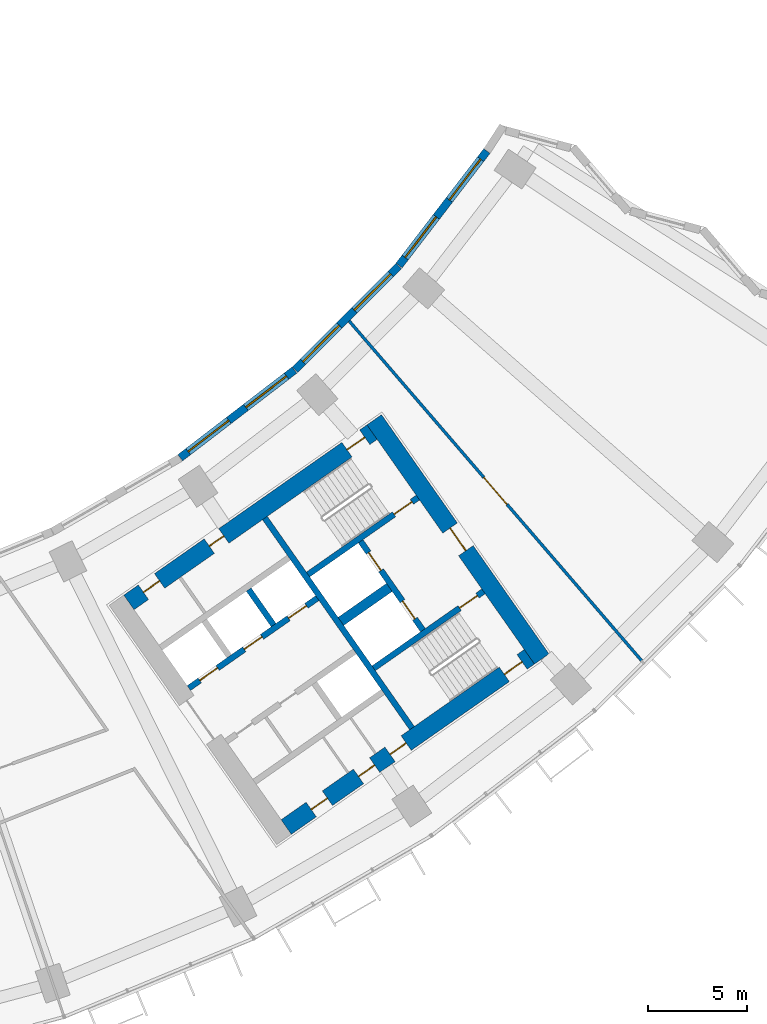
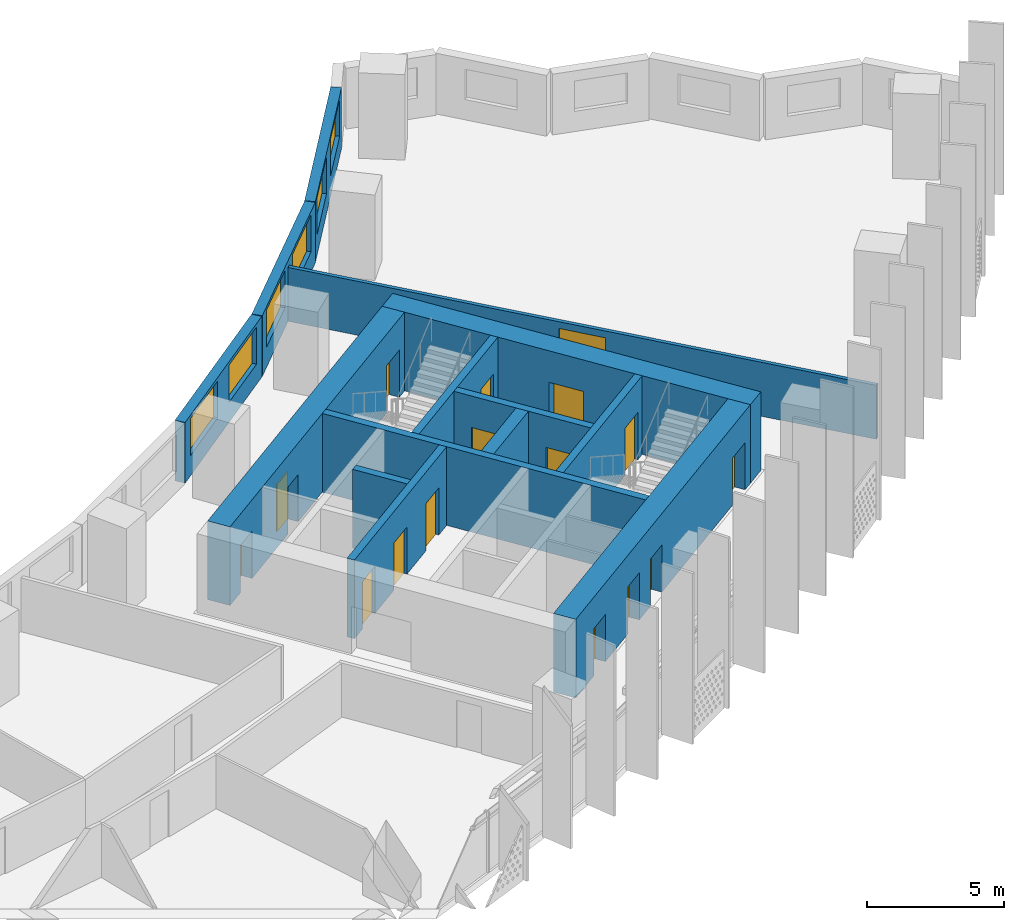
# One storey, part 7 of 31: 16 doors, 14 walls, 6 windows, 22 openings.
"""IFC4 building model written with IfcOpenShell, lengths in metres."""

import ifcopenshell
import ifcopenshell.guid

model = None  # the IFC model being written
_history = None  # IfcOwnerHistory: only IFC2X3 demands one
_inside = {}  # id of a spatial element -> (the spatial element, [elements in it])
_under = {}  # id of a project, library or spatial element -> (it, [spatial elements below it])
_declared = {}  # id of a project -> (the project, [libraries it declares])
_typed = {}  # id of a type object -> (the type object, [elements of that type])
_made_of = {}  # id of a material, layer set ... -> (it, [elements and type objects made of it])


def new_model(schema):
    """Start an empty IFC model of exactly this schema.

    Asked for "IFC4X3", IfcOpenShell would pick the latest addendum, in which some entities
    have other attributes; the version numbers below select the first issue.
    IFC2X3 requires an IfcOwnerHistory on every rooted entity: one is made here for all.
    """
    global model, _history
    if schema == "IFC4X3":
        model = ifcopenshell.file(schema_version=(4, 3, 0, 0))
    else:
        model = ifcopenshell.file(schema=schema)
    _inside.clear()
    _under.clear()
    _declared.clear()
    _typed.clear()
    _made_of.clear()
    _history = None
    if model.schema == "IFC2X3":
        org = make("IfcOrganization", Name="unknown")
        user = make(
            "IfcPersonAndOrganization",
            ThePerson=make("IfcPerson", FamilyName="unknown"),
            TheOrganization=org,
        )
        app = make(
            "IfcApplication",
            ApplicationDeveloper=org,
            Version="unknown",
            ApplicationFullName="unknown",
            ApplicationIdentifier="unknown",
        )
        _history = make(
            "IfcOwnerHistory",
            OwningUser=user,
            OwningApplication=app,
            ChangeAction="ADDED",
            CreationDate=0,
        )
    return model


def make(cls, **values):
    """One entity of the class cls with the attributes given. An attribute that is None is left unset."""
    return model.create_entity(
        cls, **{name: value for name, value in values.items() if value is not None}
    )


def rooted(cls, **values):
    """An entity with a GlobalId (a new one), such as an element, a storey or a relation."""
    return make(cls, GlobalId=ifcopenshell.guid.new(), OwnerHistory=_history, **values)


def si_unit(unit_type, name, prefix=None):
    """IfcSIUnit, for example si_unit("LENGTHUNIT", "METRE", prefix="MILLI")."""
    return make("IfcSIUnit", UnitType=unit_type, Prefix=prefix, Name=name)


def assignment(units):
    """IfcUnitAssignment: the units of a project."""
    return None if units is None else make("IfcUnitAssignment", Units=units)


def point(xyz):
    """IfcCartesianPoint."""
    return None if xyz is None else make("IfcCartesianPoint", Coordinates=xyz)


def direction(xyz):
    """IfcDirection."""
    return None if xyz is None else make("IfcDirection", DirectionRatios=xyz)


def frame(location, z_axis=None, x_axis=None):
    """IfcAxis2Placement3D, a coordinate frame: its origin and axes. An axis left out is left unset."""
    return make(
        "IfcAxis2Placement3D",
        Location=point(location),
        Axis=direction(z_axis),
        RefDirection=direction(x_axis),
    )


def frame_2d(location, x_axis=None):
    """IfcAxis2Placement2D, a coordinate frame in the plane: its origin and x axis."""
    return make(
        "IfcAxis2Placement2D", Location=point(location), RefDirection=direction(x_axis)
    )


def origin():
    """The frame at (0, 0, 0) with its axes left unset."""
    return frame((0.0, 0.0, 0.0))


def place(relative_to, where):
    """IfcLocalPlacement: puts the frame where relative to a parent placement (None: the world)."""
    return make(
        "IfcLocalPlacement", PlacementRelTo=relative_to, RelativePlacement=where
    )


def context(
    kind, dimensions, precision=None, world=None, true_north=None, identifier=None
):
    """IfcGeometricRepresentationContext, for example the 3D "Model" context."""
    return make(
        "IfcGeometricRepresentationContext",
        ContextIdentifier=identifier,
        ContextType=kind,
        CoordinateSpaceDimension=dimensions,
        Precision=precision,
        WorldCoordinateSystem=world,
        TrueNorth=true_north,
    )


def subcontext(parent, identifier, kind, view, scale=None):
    """IfcGeometricRepresentationSubContext, for example "Body" below "Model"."""
    return make(
        "IfcGeometricRepresentationSubContext",
        ContextIdentifier=identifier,
        ContextType=kind,
        ParentContext=parent,
        TargetScale=scale,
        TargetView=view,
    )


def project(units=None, contexts=None):
    """IfcProject with its units and contexts."""
    return rooted(
        "IfcProject",
        Name="project",
        RepresentationContexts=contexts,
        UnitsInContext=assignment(units),
    )


def spatial(cls, under=None, at=None, **own):
    """A site, building, storey or space (cls), placed at a placement, below another one or the project."""
    s = rooted(cls, ObjectPlacement=at, **own)
    if under is not None:
        _under.setdefault(under.id(), (under, []))[1].append(s)
    return s


def profile(cls, at=None, kind="AREA", **sizes):
    """A parametric profile (cls). Its sizes go by their IFC names, for example OverallWidth=200.0."""
    return make(cls, ProfileType=kind, Position=at, **sizes)


def rectangle(**sizes):
    """IfcRectangleProfileDef."""
    return profile("IfcRectangleProfileDef", **sizes)


def extrude(swept, where, along, depth):
    """IfcExtrudedAreaSolid: the profile swept, set in the frame where, extruded along a direction by depth."""
    return make(
        "IfcExtrudedAreaSolid",
        SweptArea=swept,
        Position=where,
        ExtrudedDirection=direction(along),
        Depth=depth,
    )


def shape(context_of_items, identifier, shape_type, items):
    """IfcShapeRepresentation: the items that make up one representation, for example the "Body"."""
    return make(
        "IfcShapeRepresentation",
        ContextOfItems=context_of_items,
        RepresentationIdentifier=identifier,
        RepresentationType=shape_type,
        Items=items,
    )


def material(Name=None, Category=None):
    """IfcMaterial."""
    return make("IfcMaterial", Name=Name, Category=Category)


def layer(
    of_material, thickness, ventilated=None, Name=None, Category=None, Priority=None
):
    """IfcMaterialLayer: one layer of a wall or slab, of a material (None: an air gap)."""
    return make(
        "IfcMaterialLayer",
        Material=of_material,
        LayerThickness=thickness,
        IsVentilated=ventilated,
        Name=Name,
        Category=Category,
        Priority=Priority,
    )


def layer_set(layers, Name=None):
    """IfcMaterialLayerSet."""
    return make("IfcMaterialLayerSet", MaterialLayers=layers, LayerSetName=Name)


def made_of(thing, what):
    """Note that an element or type object is made of a material, layer set ...; save() writes the relation."""
    if what is not None:
        _made_of.setdefault(what.id(), (what, []))[1].append(thing)
    return thing


def type_object(cls, material=None, **own):
    """A type object (cls), such as IfcWallType, which elements share."""
    return made_of(rooted(cls, **own), material)


def element(
    cls,
    number,
    at=None,
    inside=None,
    cuts=None,
    type_object=None,
    material=None,
    context=None,
    identifier="Body",
    shape_type=None,
    held_by="IfcProductDefinitionShape",
    body=None,
    shapes=None,
    **own,
):
    """One element of the class cls, such as IfcWall. Its Tag is "e" and its number.

    at: its placement. inside: the storey or other place that contains it. cuts: it is an
    opening in that element (IfcRelVoidsElement). A single representation is given by context,
    identifier, shape_type and body (its items); several are given by shapes. held_by: the class
    of the entity that holds the representations. save() writes the other relations.
    """
    e = rooted(cls, Tag="e%d" % number, ObjectPlacement=at, **own)
    if body is not None:
        shapes = [shape(context, identifier, shape_type, body)]
    if shapes is not None:
        e.Representation = make(held_by, Representations=shapes)
    if inside is not None:
        _inside.setdefault(inside.id(), (inside, []))[1].append(e)
    if cuts is not None:
        rooted(
            "IfcRelVoidsElement", RelatingBuildingElement=cuts, RelatedOpeningElement=e
        )
    if type_object is not None:
        _typed.setdefault(type_object.id(), (type_object, []))[1].append(e)
    return made_of(e, material)


def fill(opening, filler):
    """IfcRelFillsElement: the door or window that sits in an opening."""
    return rooted(
        "IfcRelFillsElement",
        RelatingOpeningElement=opening,
        RelatedBuildingElement=filler,
    )


def aggregate(whole, parts):
    """IfcRelAggregates: a whole, such as a stair, and the parts it consists of."""
    return rooted("IfcRelAggregates", RelatingObject=whole, RelatedObjects=parts)


def save(model, path):
    """Write the relations noted so far, then the file.

    IfcRelAggregates (storeys below a building ...), IfcRelContainedInSpatialStructure (elements
    in a storey), IfcRelDefinesByType, IfcRelAssociatesMaterial and IfcRelDeclares: one each for
    every whole, place, type object, material and project.
    """
    for whole, parts in _under.values():
        aggregate(whole, parts)
    for where, things in _inside.values():
        rooted(
            "IfcRelContainedInSpatialStructure",
            RelatedElements=things,
            RelatingStructure=where,
        )
    for kind, things in _typed.values():
        rooted("IfcRelDefinesByType", RelatedObjects=things, RelatingType=kind)
    for what, things in _made_of.values():
        rooted("IfcRelAssociatesMaterial", RelatedObjects=things, RelatingMaterial=what)
    for by, libraries in _declared.values():
        rooted("IfcRelDeclares", RelatingContext=by, RelatedDefinitions=libraries)
    model.write(path)


model = new_model("IFC4")

# Units and contexts
model_context = context("Model", 3, precision=1e-05, world=origin(), true_north=direction((0.0, 1.0)))
body_context = subcontext(model_context, "Body", "Model", "MODEL_VIEW")
ifc_project = project(units=[si_unit("LENGTHUNIT", "METRE"), si_unit("AREAUNIT", "SQUARE_METRE"), si_unit("VOLUMEUNIT", "CUBIC_METRE"), si_unit("PLANEANGLEUNIT", "RADIAN"), si_unit("MASSUNIT", "GRAM", prefix="KILO")], contexts=[model_context])

# Site, building, storey
site_placement = place(None, origin())
site = spatial("IfcSite", under=ifc_project, at=site_placement, CompositionType="ELEMENT")
building_placement = place(site_placement, origin())
building = spatial("IfcBuilding", under=site, at=building_placement, Name="Qamariyya Broadcast Tower", CompositionType="ELEMENT")
storey_placement = place(building_placement, frame((0.0, 0.0, 48.10009765625)))
storey = spatial("IfcBuildingStorey", under=building, at=storey_placement, Name="L08", CompositionType="ELEMENT", Elevation=48.10009765625)

# Wall, opening, door
ifc_material_1 = material(Name="Concrete C70/85", Category="concrete")
ifc_layer_1 = layer(ifc_material_1, 0.89990234375)
ifc_layer_set_1 = layer_set([ifc_layer_1], Name="Core wall 900 mm Concrete C70/85")
wall_type_1 = type_object("IfcWallType", Name="Core wall 900 mm Concrete C70/85", PredefinedType="SHEAR", material=ifc_layer_set_1)
wall_1_placement = place(storey_placement, frame((49.778564453125, -57.191162109375, 0.0), z_axis=(0.0, 0.0, 1.0), x_axis=(-0.573577477574, 0.819151315216, 0.0)))
wall_1 = element("IfcWall", 1, at=wall_1_placement, inside=storey, type_object=wall_type_1, Name="k-E-L08-WH", PredefinedType="SHEAR", context=body_context, shape_type="SweptSolid", body=[
    extrude(rectangle(XDim=14.800048828125, YDim=0.89990234375, at=frame_2d((7.39990234375, 0.0))), origin(), (0.0, 0.0, 1.0), 3.5),
])
opening_1_placement = place(wall_1_placement, frame((6.699951171875, 0.0, 0.0)))
opening_1 = element("IfcOpeningElement", 2, at=opening_1_placement, cuts=wall_1, Name="Opening KD2-E1", PredefinedType="OPENING", context=body_context, shape_type="SweptSolid", body=[
    extrude(rectangle(XDim=1.39990234375, YDim=2.10009765625, at=frame_2d((0.699951171875, 1.050048828125))), frame((0.0, 0.4599609375, 0.0), z_axis=(0.0, -1.0, 0.0), x_axis=(1.0, 0.0, 0.0)), (0.0, 0.0, 1.0), 0.919921875),
])
ifc_material_2 = material(Name="Steel fire-resisting door leaf", Category="steel")
door_type_1 = type_object("IfcDoorType", Name="Fire-fighting lobby door KD2", OperationType="DOUBLE_DOOR_SINGLE_SWING", PredefinedType="DOOR", material=ifc_material_2)
door_1_placement = place(opening_1_placement, origin())
door_1 = element("IfcDoor", 3, at=door_1_placement, inside=storey, type_object=door_type_1, Name="k-E-L08-WH-D14", OperationType="DOUBLE_DOOR_SINGLE_SWING", OverallHeight=2.10009765625, OverallWidth=1.39990234375, PredefinedType="DOOR", context=body_context, shape_type="SweptSolid", body=[
    extrude(rectangle(XDim=1.39990234375, YDim=2.10009765625, at=frame_2d((0.699951171875, 1.050048828125))), frame((0.0, 0.02490234375, 0.0), z_axis=(0.0, -1.0, 0.0), x_axis=(1.0, 0.0, 0.0)), (0.0, 0.0, 1.0), 0.050048828125),
])
fill(opening_1, door_1)

# Wall, openings, doors
wall_2_placement = place(storey_placement, frame((28.8544921875, -54.32421875, 0.0), z_axis=(0.0, 0.0, 1.0), x_axis=(0.819145767589, 0.573585400304, 0.0)))
wall_2 = element("IfcWall", 4, at=wall_2_placement, inside=storey, type_object=wall_type_1, Name="k-E-L08-WI", PredefinedType="SHEAR", context=body_context, shape_type="SweptSolid", body=[
    extrude(rectangle(XDim=15.04541015625, YDim=0.89990234375, at=frame_2d((7.522705078125, 0.0))), origin(), (0.0, 0.0, 1.0), 3.5),
])
opening_2_placement = place(wall_2_placement, frame((0.89990234375, 0.0, 0.0)))
opening_2 = element("IfcOpeningElement", 5, at=opening_2_placement, cuts=wall_2, Name="Opening KD7-E1", PredefinedType="OPENING", context=body_context, shape_type="SweptSolid", body=[
    extrude(rectangle(XDim=1.0, YDim=2.10009765625, at=frame_2d((0.5, 1.050048828125))), frame((0.0, 0.4599609375, 0.0), z_axis=(0.0, -1.0, 0.0), x_axis=(1.0, 0.0, 0.0)), (0.0, 0.0, 1.0), 0.919921875),
])
opening_3_placement = place(wall_2_placement, frame((4.97509765625, 0.0, 0.0)))
opening_3 = element("IfcOpeningElement", 6, at=opening_3_placement, cuts=wall_2, Name="Opening KD5-E1", PredefinedType="OPENING", context=body_context, shape_type="SweptSolid", body=[
    extrude(rectangle(XDim=0.89990234375, YDim=2.10009765625, at=frame_2d((0.449951171875, 1.050048828125))), frame((0.0, 0.4599609375, 0.0), z_axis=(0.0, -1.0, 0.0), x_axis=(1.0, 0.0, 0.0)), (0.0, 0.0, 1.0), 0.919921875),
])
opening_4_placement = place(wall_2_placement, frame((13.495361328125, 0.0, 0.0)))
opening_4 = element("IfcOpeningElement", 7, at=opening_4_placement, cuts=wall_2, Name="Opening KD1-E1", PredefinedType="OPENING", context=body_context, shape_type="SweptSolid", body=[
    extrude(rectangle(XDim=1.10009765625, YDim=2.10009765625, at=frame_2d((0.550048828125, 1.050048828125))), frame((0.0, 0.4599609375, 0.0), z_axis=(0.0, -1.0, 0.0), x_axis=(1.0, 0.0, 0.0)), (0.0, 0.0, 1.0), 0.919921875),
])
door_type_2 = type_object("IfcDoorType", Name="Accessible toilet door KD7", OperationType="SINGLE_SWING_LEFT", PredefinedType="DOOR", material=ifc_material_2)
door_2_placement = place(opening_2_placement, origin())
door_2 = element("IfcDoor", 8, at=door_2_placement, inside=storey, type_object=door_type_2, Name="k-E-L08-WI-D7", OperationType="SINGLE_SWING_LEFT", OverallHeight=2.10009765625, OverallWidth=1.0, PredefinedType="DOOR", context=body_context, shape_type="SweptSolid", body=[
    extrude(rectangle(XDim=1.0, YDim=2.10009765625, at=frame_2d((0.5, 1.050048828125))), frame((0.0, 0.02490234375, 0.0), z_axis=(0.0, -1.0, 0.0), x_axis=(1.0, 0.0, 0.0)), (0.0, 0.0, 1.0), 0.050048828125),
])
fill(opening_2, door_2)
door_type_3 = type_object("IfcDoorType", Name="Stair door KD1", OperationType="SINGLE_SWING_LEFT", PredefinedType="DOOR", material=ifc_material_2)
door_3_placement = place(opening_4_placement, origin())
door_3 = element("IfcDoor", 9, at=door_3_placement, inside=storey, type_object=door_type_3, Name="k-E-L08-WI-D15", OperationType="SINGLE_SWING_RIGHT", OverallHeight=2.10009765625, OverallWidth=1.10009765625, PredefinedType="DOOR", context=body_context, shape_type="SweptSolid", body=[
    extrude(rectangle(XDim=1.10009765625, YDim=2.10009765625, at=frame_2d((0.550048828125, 1.050048828125))), frame((0.0, 0.02490234375, 0.0), z_axis=(0.0, -1.0, 0.0), x_axis=(1.0, 0.0, 0.0)), (0.0, 0.0, 1.0), 0.050048828125),
])
fill(opening_4, door_3)
door_type_4 = type_object("IfcDoorType", Name="Toilet door KD5", OperationType="SINGLE_SWING_LEFT", PredefinedType="DOOR", material=ifc_material_2)
door_4_placement = place(opening_3_placement, origin())
door_4 = element("IfcDoor", 10, at=door_4_placement, inside=storey, type_object=door_type_4, Name="k-E-L08-WI-D8", OperationType="SINGLE_SWING_RIGHT", OverallHeight=2.10009765625, OverallWidth=0.89990234375, PredefinedType="DOOR", context=body_context, shape_type="SweptSolid", body=[
    extrude(rectangle(XDim=0.89990234375, YDim=2.10009765625, at=frame_2d((0.449951171875, 1.050048828125))), frame((0.0, 0.02490234375, 0.0), z_axis=(0.0, -1.0, 0.0), x_axis=(1.0, 0.0, 0.0)), (0.0, 0.0, 1.0), 0.050048828125),
])
fill(opening_3, door_4)

wall_3_placement = place(storey_placement, frame((36.827392578125, -65.710205078125, 0.0), z_axis=(0.0, 0.0, 1.0), x_axis=(0.819153391756, 0.573574511963, 0.0)))
wall_3 = element("IfcWall", 11, at=wall_3_placement, inside=storey, type_object=wall_type_1, Name="k-E-L08-WO", PredefinedType="SHEAR", context=body_context, shape_type="SweptSolid", body=[
    extrude(rectangle(XDim=15.04541015625, YDim=0.89990234375, at=frame_2d((7.522705078125, 0.0))), origin(), (0.0, 0.0, 1.0), 3.5),
])
opening_5_placement = place(wall_3_placement, frame((1.550048828125, 0.0, 0.0)))
opening_5 = element("IfcOpeningElement", 12, at=opening_5_placement, cuts=wall_3, Name="Opening KD4-E2", PredefinedType="OPENING", context=body_context, shape_type="SweptSolid", body=[
    extrude(rectangle(XDim=1.0, YDim=2.10009765625, at=frame_2d((0.5, 1.050048828125))), frame((0.0, 0.4599609375, 0.0), z_axis=(0.0, -1.0, 0.0), x_axis=(1.0, 0.0, 0.0)), (0.0, 0.0, 1.0), 0.919921875),
])
opening_6_placement = place(wall_3_placement, frame((4.47509765625, 0.0, 0.0)))
opening_6 = element("IfcOpeningElement", 13, at=opening_6_placement, cuts=wall_3, Name="Opening KD4-E3", PredefinedType="OPENING", context=body_context, shape_type="SweptSolid", body=[
    extrude(rectangle(XDim=1.0, YDim=2.10009765625, at=frame_2d((0.5, 1.050048828125))), frame((0.0, 0.4599609375, 0.0), z_axis=(0.0, -1.0, 0.0), x_axis=(1.0, 0.0, 0.0)), (0.0, 0.0, 1.0), 0.919921875),
])
opening_7_placement = place(wall_3_placement, frame((6.425048828125, 0.0, 0.0)))
opening_7 = element("IfcOpeningElement", 14, at=opening_7_placement, cuts=wall_3, Name="Opening KD4-E4", PredefinedType="OPENING", context=body_context, shape_type="SweptSolid", body=[
    extrude(rectangle(XDim=1.0, YDim=2.10009765625, at=frame_2d((0.5, 1.050048828125))), frame((0.0, 0.4599609375, 0.0), z_axis=(0.0, -1.0, 0.0), x_axis=(1.0, 0.0, 0.0)), (0.0, 0.0, 1.0), 0.919921875),
])
opening_8_placement = place(wall_3_placement, frame((13.495361328125, 0.0, 0.0)))
opening_8 = element("IfcOpeningElement", 15, at=opening_8_placement, cuts=wall_3, Name="Opening KD1-E3", PredefinedType="OPENING", context=body_context, shape_type="SweptSolid", body=[
    extrude(rectangle(XDim=1.10009765625, YDim=2.10009765625, at=frame_2d((0.550048828125, 1.050048828125))), frame((0.0, 0.4599609375, 0.0), z_axis=(0.0, -1.0, 0.0), x_axis=(1.0, 0.0, 0.0)), (0.0, 0.0, 1.0), 0.919921875),
])
door_type_5 = type_object("IfcDoorType", Name="Riser and plant door KD4", OperationType="SINGLE_SWING_LEFT", PredefinedType="DOOR", material=ifc_material_2)
door_5_placement = place(opening_5_placement, origin())
door_5 = element("IfcDoor", 16, at=door_5_placement, inside=storey, type_object=door_type_5, Name="k-E-L08-WO-D9", OperationType="SINGLE_SWING_LEFT", OverallHeight=2.10009765625, OverallWidth=1.0, PredefinedType="DOOR", context=body_context, shape_type="SweptSolid", body=[
    extrude(rectangle(XDim=1.0, YDim=2.10009765625, at=frame_2d((0.5, 1.050048828125))), frame((0.0, 0.02490234375, 0.0), z_axis=(0.0, -1.0, 0.0), x_axis=(1.0, 0.0, 0.0)), (0.0, 0.0, 1.0), 0.050048828125),
])
fill(opening_5, door_5)
door_6_placement = place(opening_6_placement, origin())
door_6 = element("IfcDoor", 17, at=door_6_placement, inside=storey, type_object=door_type_5, Name="k-E-L08-WO-D10", OperationType="SINGLE_SWING_RIGHT", OverallHeight=2.10009765625, OverallWidth=1.0, PredefinedType="DOOR", context=body_context, shape_type="SweptSolid", body=[
    extrude(rectangle(XDim=1.0, YDim=2.10009765625, at=frame_2d((0.5, 1.050048828125))), frame((0.0, 0.02490234375, 0.0), z_axis=(0.0, -1.0, 0.0), x_axis=(1.0, 0.0, 0.0)), (0.0, 0.0, 1.0), 0.050048828125),
])
fill(opening_6, door_6)
door_7_placement = place(opening_7_placement, origin())
door_7 = element("IfcDoor", 18, at=door_7_placement, inside=storey, type_object=door_type_5, Name="k-E-L08-WO-D11", OperationType="SINGLE_SWING_LEFT", OverallHeight=2.10009765625, OverallWidth=1.0, PredefinedType="DOOR", context=body_context, shape_type="SweptSolid", body=[
    extrude(rectangle(XDim=1.0, YDim=2.10009765625, at=frame_2d((0.5, 1.050048828125))), frame((0.0, 0.02490234375, 0.0), z_axis=(0.0, -1.0, 0.0), x_axis=(1.0, 0.0, 0.0)), (0.0, 0.0, 1.0), 0.050048828125),
])
fill(opening_7, door_7)
door_8_placement = place(opening_8_placement, origin())
door_8 = element("IfcDoor", 19, at=door_8_placement, inside=storey, type_object=door_type_3, Name="k-E-L08-WO-D17", OperationType="SINGLE_SWING_LEFT", OverallHeight=2.10009765625, OverallWidth=1.10009765625, PredefinedType="DOOR", context=body_context, shape_type="SweptSolid", body=[
    extrude(rectangle(XDim=1.10009765625, YDim=2.10009765625, at=frame_2d((0.550048828125, 1.050048828125))), frame((0.0, 0.02490234375, 0.0), z_axis=(0.0, -1.0, 0.0), x_axis=(1.0, 0.0, 0.0)), (0.0, 0.0, 1.0), 0.050048828125),
])
fill(opening_8, door_8)

# Wall, opening, door
ifc_material_3 = material(Name="Gypsum board partition")
ifc_layer_2 = layer(ifc_material_3, 0.14990234375)
ifc_layer_set_2 = layer_set([ifc_layer_2], Name="Corridor partition 150 EI 60")
wall_type_2 = type_object("IfcWallType", Name="Corridor partition 150 EI 60", PredefinedType="PARTITIONING", material=ifc_layer_set_2)
wall_4_placement = place(storey_placement, frame((40.021240234375, -40.063232421875, 0.0), z_axis=(0.0, 0.0, 1.0), x_axis=(0.652471531746, -0.757813235739, 0.0)))
wall_4 = element("IfcWall", 20, at=wall_4_placement, inside=storey, type_object=wall_type_2, Name="Partition L08-036", PredefinedType="PARTITIONING", context=body_context, shape_type="SweptSolid", body=[
    extrude(rectangle(XDim=22.71484375, YDim=0.14990234375, at=frame_2d((11.357421875, 0.0))), origin(), (0.0, 0.0, 1.0), 2.39990234375),
])
opening_9_placement = place(wall_4_placement, frame((10.45751953125, 0.0, 0.0)))
opening_9 = element("IfcOpeningElement", 21, at=opening_9_placement, cuts=wall_4, Name="Opening L08-D18", PredefinedType="OPENING", context=body_context, shape_type="SweptSolid", body=[
    extrude(rectangle(XDim=1.800048828125, YDim=2.10009765625, at=frame_2d((0.89990234375, 1.050048828125))), frame((0.0, 0.0849609375, 0.0), z_axis=(0.0, -1.0, 0.0), x_axis=(1.0, 0.0, 0.0)), (0.0, 0.0, 1.0), 0.169921875),
])
ifc_material_4 = material(Name="Timber fire door leaf", Category="wood")
door_type_6 = type_object("IfcDoorType", Name="Double fire door 1800 x 2100 FD60", OperationType="NOTDEFINED", PredefinedType="DOOR", material=ifc_material_4)
door_9_placement = place(opening_9_placement, origin())
door_9 = element("IfcDoor", 22, at=door_9_placement, inside=storey, type_object=door_type_6, Name="Door L08-D18", OperationType="DOUBLE_DOOR_SINGLE_SWING", OverallHeight=2.10009765625, OverallWidth=1.800048828125, PredefinedType="DOOR", context=body_context, shape_type="SweptSolid", body=[
    extrude(rectangle(XDim=1.800048828125, YDim=2.10009765625, at=frame_2d((0.89990234375, 1.050048828125))), frame((0.0, 0.02490234375, 0.0), z_axis=(0.0, -1.0, 0.0), x_axis=(1.0, 0.0, 0.0)), (0.0, 0.0, 1.0), 0.050048828125),
])
fill(opening_9, door_9)

# Walls
ifc_material_5 = material(Name="Concrete C60/75", Category="concrete")
ifc_layer_3 = layer(ifc_material_5, 0.5)
ifc_layer_set_3 = layer_set([ifc_layer_3], Name="Fire-fighting lobby divider wall 500 mm Concrete C60/75")
wall_type_3 = type_object("IfcWallType", Name="Fire-fighting lobby divider wall 500 mm Concrete C60/75", PredefinedType="SOLIDWALL", material=ifc_layer_set_3)
wall_5_placement = place(storey_placement, frame((39.59912109375, -55.28515625, 0.0), z_axis=(0.0, 0.0, 1.0), x_axis=(0.819136323161, 0.573598887793, 0.0)))
element("IfcWall", 23, at=wall_5_placement, inside=storey, type_object=wall_type_3, Name="k-E-L08-FD", PredefinedType="SOLIDWALL", context=body_context, shape_type="SweptSolid", body=[
    extrude(rectangle(XDim=2.999755859375, YDim=0.5, at=frame_2d((1.5, 0.0))), origin(), (0.0, 0.0, 1.0), 3.5),
])
ifc_layer_4 = layer(ifc_material_5, 0.300048828125)
ifc_layer_set_4 = layer_set([ifc_layer_4], Name="Lift shaft wall 300 mm Concrete C60/75")
wall_type_4 = type_object("IfcWallType", Name="Lift shaft wall 300 mm Concrete C60/75", PredefinedType="SOLIDWALL", material=ifc_layer_set_4)
wall_6_placement = place(storey_placement, frame((43.204345703125, -60.69580078125, 0.0), z_axis=(0.0, 0.0, 1.0), x_axis=(-0.573571992966, 0.819155155563, 0.0)))
element("IfcWall", 24, at=wall_6_placement, inside=storey, type_object=wall_type_4, Name="k-E-L08-WL", PredefinedType="SOLIDWALL", context=body_context, shape_type="SweptSolid", body=[
    extrude(rectangle(XDim=13.000244140625, YDim=0.300048828125, at=frame_2d((6.5, 0.0))), origin(), (0.0, 0.0, 1.0), 3.5),
])

# Wall, openings, doors
wall_7_placement = place(storey_placement, frame((31.89453125, -58.66552734375, 0.0), z_axis=(0.0, 0.0, 1.0), x_axis=(0.819166993208, 0.573555086491, 0.0)))
wall_7 = element("IfcWall", 25, at=wall_7_placement, inside=storey, type_object=wall_type_4, Name="k-E-L08-NF0", PredefinedType="SOLIDWALL", context=body_context, shape_type="SweptSolid", body=[
    extrude(rectangle(XDim=7.9501953125, YDim=0.300048828125, at=frame_2d((3.97509765625, 0.0))), origin(), (0.0, 0.0, 1.0), 3.5),
])
opening_10_placement = place(wall_7_placement, frame((0.675048828125, 0.0, 0.0)))
opening_10 = element("IfcOpeningElement", 26, at=opening_10_placement, cuts=wall_7, Name="Opening LD", PredefinedType="OPENING", context=body_context, shape_type="SweptSolid", body=[
    extrude(rectangle(XDim=1.10009765625, YDim=2.10009765625, at=frame_2d((0.550048828125, 1.050048828125))), frame((0.0, 0.159912109375, 0.0), z_axis=(0.0, -1.0, 0.0), x_axis=(1.0, 0.0, 0.0)), (0.0, 0.0, 1.0), 0.320068359375),
])
opening_11_placement = place(wall_7_placement, frame((3.425048828125, 0.0, 0.0)))
opening_11 = element("IfcOpeningElement", 27, at=opening_11_placement, cuts=wall_7, Name="Opening LD", PredefinedType="OPENING", context=body_context, shape_type="SweptSolid", body=[
    extrude(rectangle(XDim=1.10009765625, YDim=2.10009765625, at=frame_2d((0.550048828125, 1.050048828125))), frame((0.0, 0.159912109375, 0.0), z_axis=(0.0, -1.0, 0.0), x_axis=(1.0, 0.0, 0.0)), (0.0, 0.0, 1.0), 0.320068359375),
])
opening_12_placement = place(wall_7_placement, frame((6.175048828125, 0.0, 0.0)))
opening_12 = element("IfcOpeningElement", 28, at=opening_12_placement, cuts=wall_7, Name="Opening LD", PredefinedType="OPENING", context=body_context, shape_type="SweptSolid", body=[
    extrude(rectangle(XDim=1.10009765625, YDim=2.10009765625, at=frame_2d((0.550048828125, 1.050048828125))), frame((0.0, 0.159912109375, 0.0), z_axis=(0.0, -1.0, 0.0), x_axis=(1.0, 0.0, 0.0)), (0.0, 0.0, 1.0), 0.320068359375),
])
door_type_7 = type_object("IfcDoorType", Name="Lift landing door LD", OperationType="DOUBLE_DOOR_SLIDING", PredefinedType="DOOR", material=ifc_material_2)
door_10_placement = place(opening_10_placement, origin())
door_10 = element("IfcDoor", 29, at=door_10_placement, inside=storey, type_object=door_type_7, Name="k-E-L08-NF0-D2", OperationType="DOUBLE_DOOR_SLIDING", OverallHeight=2.10009765625, OverallWidth=1.10009765625, PredefinedType="DOOR", context=body_context, shape_type="SweptSolid", body=[
    extrude(rectangle(XDim=1.10009765625, YDim=2.10009765625, at=frame_2d((0.550048828125, 1.050048828125))), frame((0.0, 0.02490234375, 0.0), z_axis=(0.0, -1.0, 0.0), x_axis=(1.0, 0.0, 0.0)), (0.0, 0.0, 1.0), 0.050048828125),
])
fill(opening_10, door_10)
door_11_placement = place(opening_11_placement, origin())
door_11 = element("IfcDoor", 30, at=door_11_placement, inside=storey, type_object=door_type_7, Name="k-E-L08-NF0-D3", OperationType="DOUBLE_DOOR_SLIDING", OverallHeight=2.10009765625, OverallWidth=1.10009765625, PredefinedType="DOOR", context=body_context, shape_type="SweptSolid", body=[
    extrude(rectangle(XDim=1.10009765625, YDim=2.10009765625, at=frame_2d((0.550048828125, 1.050048828125))), frame((0.0, 0.02490234375, 0.0), z_axis=(0.0, -1.0, 0.0), x_axis=(1.0, 0.0, 0.0)), (0.0, 0.0, 1.0), 0.050048828125),
])
fill(opening_11, door_11)
door_12_placement = place(opening_12_placement, origin())
door_12 = element("IfcDoor", 31, at=door_12_placement, inside=storey, type_object=door_type_7, Name="k-E-L08-NF0-D4", OperationType="DOUBLE_DOOR_SLIDING", OverallHeight=2.10009765625, OverallWidth=1.10009765625, PredefinedType="DOOR", context=body_context, shape_type="SweptSolid", body=[
    extrude(rectangle(XDim=1.10009765625, YDim=2.10009765625, at=frame_2d((0.550048828125, 1.050048828125))), frame((0.0, 0.02490234375, 0.0), z_axis=(0.0, -1.0, 0.0), x_axis=(1.0, 0.0, 0.0)), (0.0, 0.0, 1.0), 0.050048828125),
])
fill(opening_12, door_12)

# Wall
wall_8_placement = place(storey_placement, frame((36.19091796875, -55.47412109375, 0.0), z_axis=(0.0, 0.0, 1.0), x_axis=(-0.573507030513, 0.819200638399, 0.0)))
element("IfcWall", 32, at=wall_8_placement, inside=storey, type_object=wall_type_4, Name="k-E-L08-ND1", PredefinedType="SOLIDWALL", context=body_context, shape_type="SweptSolid", body=[
    extrude(rectangle(XDim=2.199951171875, YDim=0.300048828125, at=frame_2d((1.10009765625, 0.0))), origin(), (0.0, 0.0, 1.0), 3.5),
])

# Wall, opening, door
wall_9_placement = place(storey_placement, frame((37.935546875, -52.90966796875, 0.0), z_axis=(0.0, 0.0, 1.0), x_axis=(0.819147518138, 0.57358290031, 0.0)))
wall_9 = element("IfcWall", 33, at=wall_9_placement, inside=storey, type_object=wall_type_4, Name="k-E-L08-NW", PredefinedType="SOLIDWALL", context=body_context, shape_type="SweptSolid", body=[
    extrude(rectangle(XDim=6.79541015625, YDim=0.300048828125, at=frame_2d((3.397705078125, 0.0))), origin(), (0.0, 0.0, 1.0), 3.5),
])
opening_13_placement = place(wall_9_placement, frame((5.3203125, 0.0, 0.0)))
opening_13 = element("IfcOpeningElement", 34, at=opening_13_placement, cuts=wall_9, Name="Opening KD1-E2", PredefinedType="OPENING", context=body_context, shape_type="SweptSolid", body=[
    extrude(rectangle(XDim=1.10009765625, YDim=2.10009765625, at=frame_2d((0.550048828125, 1.050048828125))), frame((0.0, 0.159912109375, 0.0), z_axis=(0.0, -1.0, 0.0), x_axis=(1.0, 0.0, 0.0)), (0.0, 0.0, 1.0), 0.320068359375),
])
door_13_placement = place(opening_13_placement, origin())
door_13 = element("IfcDoor", 35, at=door_13_placement, inside=storey, type_object=door_type_3, Name="k-E-L08-NW-D16", OperationType="SINGLE_SWING_RIGHT", OverallHeight=2.10009765625, OverallWidth=1.10009765625, PredefinedType="DOOR", context=body_context, shape_type="SweptSolid", body=[
    extrude(rectangle(XDim=1.10009765625, YDim=2.10009765625, at=frame_2d((0.550048828125, 1.050048828125))), frame((0.0, 0.02490234375, 0.0), z_axis=(0.0, -1.0, 0.0), x_axis=(1.0, 0.0, 0.0)), (0.0, 0.0, 1.0), 0.050048828125),
])
fill(opening_13, door_13)

wall_10_placement = place(storey_placement, frame((41.262451171875, -57.66064453125, 0.0), z_axis=(0.0, 0.0, 1.0), x_axis=(0.819164398642, 0.573558792102, 0.0)))
wall_10 = element("IfcWall", 36, at=wall_10_placement, inside=storey, type_object=wall_type_4, Name="k-E-L08-SW", PredefinedType="SOLIDWALL", context=body_context, shape_type="SweptSolid", body=[
    extrude(rectangle(XDim=6.795166015625, YDim=0.300048828125, at=frame_2d((3.3974609375, 0.0))), origin(), (0.0, 0.0, 1.0), 3.5),
])
opening_14_placement = place(wall_10_placement, frame((5.3203125, 0.0, 0.0)))
opening_14 = element("IfcOpeningElement", 37, at=opening_14_placement, cuts=wall_10, Name="Opening KD1-E4", PredefinedType="OPENING", context=body_context, shape_type="SweptSolid", body=[
    extrude(rectangle(XDim=1.10009765625, YDim=2.10009765625, at=frame_2d((0.550048828125, 1.050048828125))), frame((0.0, 0.159912109375, 0.0), z_axis=(0.0, -1.0, 0.0), x_axis=(1.0, 0.0, 0.0)), (0.0, 0.0, 1.0), 0.320068359375),
])
door_14_placement = place(opening_14_placement, origin())
door_14 = element("IfcDoor", 38, at=door_14_placement, inside=storey, type_object=door_type_3, Name="k-E-L08-SW-D18", OperationType="SINGLE_SWING_RIGHT", OverallHeight=2.10009765625, OverallWidth=1.10009765625, PredefinedType="DOOR", context=body_context, shape_type="SweptSolid", body=[
    extrude(rectangle(XDim=1.10009765625, YDim=2.10009765625, at=frame_2d((0.550048828125, 1.050048828125))), frame((0.0, 0.02490234375, 0.0), z_axis=(0.0, -1.0, 0.0), x_axis=(1.0, 0.0, 0.0)), (0.0, 0.0, 1.0), 0.050048828125),
])
fill(opening_14, door_14)

# Wall, openings, doors
wall_11_placement = place(storey_placement, frame((43.756591796875, -55.731201171875, 0.0), z_axis=(0.0, 0.0, 1.0), x_axis=(-0.573536818435, 0.819179783625, 0.0)))
wall_11 = element("IfcWall", 39, at=wall_11_placement, inside=storey, type_object=wall_type_4, Name="k-E-L08-FF", PredefinedType="SOLIDWALL", context=body_context, shape_type="SweptSolid", body=[
    extrude(rectangle(XDim=5.500244140625, YDim=0.300048828125, at=frame_2d((2.75, 0.0))), origin(), (0.0, 0.0, 1.0), 3.5),
])
opening_15_placement = place(wall_11_placement, frame((0.699951171875, 0.0, 0.0)))
opening_15 = element("IfcOpeningElement", 40, at=opening_15_placement, cuts=wall_11, Name="Opening LD", PredefinedType="OPENING", context=body_context, shape_type="SweptSolid", body=[
    extrude(rectangle(XDim=1.10009765625, YDim=2.10009765625, at=frame_2d((0.550048828125, 1.050048828125))), frame((0.0, 0.159912109375, 0.0), z_axis=(0.0, -1.0, 0.0), x_axis=(1.0, 0.0, 0.0)), (0.0, 0.0, 1.0), 0.320068359375),
])
opening_16_placement = place(wall_11_placement, frame((3.699951171875, 0.0, 0.0)))
opening_16 = element("IfcOpeningElement", 41, at=opening_16_placement, cuts=wall_11, Name="Opening LD", PredefinedType="OPENING", context=body_context, shape_type="SweptSolid", body=[
    extrude(rectangle(XDim=1.10009765625, YDim=2.10009765625, at=frame_2d((0.550048828125, 1.050048828125))), frame((0.0, 0.159912109375, 0.0), z_axis=(0.0, -1.0, 0.0), x_axis=(1.0, 0.0, 0.0)), (0.0, 0.0, 1.0), 0.320068359375),
])
door_15_placement = place(opening_15_placement, origin())
door_15 = element("IfcDoor", 42, at=door_15_placement, inside=storey, type_object=door_type_7, Name="k-E-L08-FF-D12", OperationType="DOUBLE_DOOR_SLIDING", OverallHeight=2.10009765625, OverallWidth=1.10009765625, PredefinedType="DOOR", context=body_context, shape_type="SweptSolid", body=[
    extrude(rectangle(XDim=1.10009765625, YDim=2.10009765625, at=frame_2d((0.550048828125, 1.050048828125))), frame((0.0, 0.02490234375, 0.0), z_axis=(0.0, -1.0, 0.0), x_axis=(1.0, 0.0, 0.0)), (0.0, 0.0, 1.0), 0.050048828125),
])
fill(opening_15, door_15)
door_16_placement = place(opening_16_placement, origin())
door_16 = element("IfcDoor", 43, at=door_16_placement, inside=storey, type_object=door_type_7, Name="k-E-L08-FF-D13", OperationType="DOUBLE_DOOR_SLIDING", OverallHeight=2.10009765625, OverallWidth=1.10009765625, PredefinedType="DOOR", context=body_context, shape_type="SweptSolid", body=[
    extrude(rectangle(XDim=1.10009765625, YDim=2.10009765625, at=frame_2d((0.550048828125, 1.050048828125))), frame((0.0, 0.02490234375, 0.0), z_axis=(0.0, -1.0, 0.0), x_axis=(1.0, 0.0, 0.0)), (0.0, 0.0, 1.0), 0.050048828125),
])
fill(opening_16, door_16)

# Wall, openings, windows
ifc_material_6 = material(Name="Terracotta", Category="masonry")
ifc_layer_5 = layer(ifc_material_6, 0.39990234375)
ifc_layer_set_5 = layer_set([ifc_layer_5], Name="Terracotta clad wall 400")
wall_type_5 = type_object("IfcWallType", Name="Terracotta clad wall 400", PredefinedType="SOLIDWALL", material=ifc_layer_set_5)
wall_12_placement = place(storey_placement, frame((37.24609375, -42.5478515625, 0.0), z_axis=(0.0, 0.0, 1.0), x_axis=(-0.79336607943, -0.60874482668, 0.0)))
wall_12 = element("IfcWall", 44, at=wall_12_placement, inside=storey, type_object=wall_type_5, Name="e-wl-L08-in130", PredefinedType="SOLIDWALL", context=body_context, shape_type="SweptSolid", body=[
    extrude(rectangle(XDim=7.295654296875, YDim=0.39990234375, at=frame_2d((3.64794921875, 0.0))), origin(), (0.0, 0.0, 1.0), 2.699951171875),
])
opening_17_placement = place(wall_12_placement, frame((4.190673828125, 0.0, 0.89990234375)))
opening_17 = element("IfcOpeningElement", 45, at=opening_17_placement, cuts=wall_12, Name="Opening W1", PredefinedType="OPENING", context=body_context, shape_type="SweptSolid", body=[
    extrude(rectangle(XDim=2.60009765625, YDim=1.64990234375, at=frame_2d((1.300048828125, 0.824951171875))), frame((0.0, 0.2099609375, 0.0), z_axis=(0.0, -1.0, 0.0), x_axis=(1.0, 0.0, 0.0)), (0.0, 0.0, 1.0), 0.419921875),
])
opening_18_placement = place(wall_12_placement, frame((0.505126953125, 0.0, 0.89990234375)))
opening_18 = element("IfcOpeningElement", 46, at=opening_18_placement, cuts=wall_12, Name="Opening W1", PredefinedType="OPENING", context=body_context, shape_type="SweptSolid", body=[
    extrude(rectangle(XDim=2.60009765625, YDim=1.64990234375, at=frame_2d((1.300048828125, 0.824951171875))), frame((0.0, 0.2099609375, 0.0), z_axis=(0.0, -1.0, 0.0), x_axis=(1.0, 0.0, 0.0)), (0.0, 0.0, 1.0), 0.419921875),
])
ifc_material_7 = material(Name="Clear low-e double glazed unit in aluminium frame", Category="aluminium")
window_type = type_object("IfcWindowType", Name="Ribbon window 2600 x 1650", PartitioningType="SINGLE_PANEL", PredefinedType="WINDOW", material=ifc_material_7)
window_1_placement = place(opening_17_placement, origin())
window_1 = element("IfcWindow", 47, at=window_1_placement, inside=storey, type_object=window_type, Name="e-w-L08-in13-0", OverallHeight=1.64990234375, OverallWidth=2.60009765625, PartitioningType="SINGLE_PANEL", PredefinedType="WINDOW", context=body_context, shape_type="SweptSolid", body=[
    extrude(rectangle(XDim=2.60009765625, YDim=1.64990234375, at=frame_2d((1.300048828125, 0.824951171875))), frame((0.0, 0.030029296875, 0.0), z_axis=(0.0, -1.0, 0.0), x_axis=(1.0, 0.0, 0.0)), (0.0, 0.0, 1.0), 0.06005859375),
])
fill(opening_17, window_1)
window_2_placement = place(opening_18_placement, origin())
window_2 = element("IfcWindow", 48, at=window_2_placement, inside=storey, type_object=window_type, Name="e-w-L08-in13-1", OverallHeight=1.64990234375, OverallWidth=2.60009765625, PartitioningType="SINGLE_PANEL", PredefinedType="WINDOW", context=body_context, shape_type="SweptSolid", body=[
    extrude(rectangle(XDim=2.60009765625, YDim=1.64990234375, at=frame_2d((1.300048828125, 0.824951171875))), frame((0.0, 0.030029296875, 0.0), z_axis=(0.0, -1.0, 0.0), x_axis=(1.0, 0.0, 0.0)), (0.0, 0.0, 1.0), 0.06005859375),
])
fill(opening_18, window_2)

wall_13_placement = place(storey_placement, frame((42.534423828125, -37.2685546875, 0.0), z_axis=(0.0, 0.0, 1.0), x_axis=(-0.707106781187, -0.707106781187, 0.0)))
wall_13 = element("IfcWall", 49, at=wall_13_placement, inside=storey, type_object=wall_type_5, Name="e-wl-L08-in140", PredefinedType="SOLIDWALL", context=body_context, shape_type="SweptSolid", body=[
    extrude(rectangle(XDim=7.447021484375, YDim=0.39990234375, at=frame_2d((3.7236328125, 0.0))), origin(), (0.0, 0.0, 1.0), 2.699951171875),
])
opening_19_placement = place(wall_13_placement, frame((4.266357421875, 0.0, 0.89990234375)))
opening_19 = element("IfcOpeningElement", 50, at=opening_19_placement, cuts=wall_13, Name="Opening W1", PredefinedType="OPENING", context=body_context, shape_type="SweptSolid", body=[
    extrude(rectangle(XDim=2.60009765625, YDim=1.64990234375, at=frame_2d((1.300048828125, 0.824951171875))), frame((0.0, 0.2099609375, 0.0), z_axis=(0.0, -1.0, 0.0), x_axis=(1.0, 0.0, 0.0)), (0.0, 0.0, 1.0), 0.419921875),
])
opening_20_placement = place(wall_13_placement, frame((0.580810546875, 0.0, 0.89990234375)))
opening_20 = element("IfcOpeningElement", 51, at=opening_20_placement, cuts=wall_13, Name="Opening W1", PredefinedType="OPENING", context=body_context, shape_type="SweptSolid", body=[
    extrude(rectangle(XDim=2.60009765625, YDim=1.64990234375, at=frame_2d((1.300048828125, 0.824951171875))), frame((0.0, 0.2099609375, 0.0), z_axis=(0.0, -1.0, 0.0), x_axis=(1.0, 0.0, 0.0)), (0.0, 0.0, 1.0), 0.419921875),
])
window_3_placement = place(opening_19_placement, origin())
window_3 = element("IfcWindow", 52, at=window_3_placement, inside=storey, type_object=window_type, Name="e-w-L08-in14-0", OverallHeight=1.64990234375, OverallWidth=2.60009765625, PartitioningType="SINGLE_PANEL", PredefinedType="WINDOW", context=body_context, shape_type="SweptSolid", body=[
    extrude(rectangle(XDim=2.60009765625, YDim=1.64990234375, at=frame_2d((1.300048828125, 0.824951171875))), frame((0.0, 0.030029296875, 0.0), z_axis=(0.0, -1.0, 0.0), x_axis=(1.0, 0.0, 0.0)), (0.0, 0.0, 1.0), 0.06005859375),
])
fill(opening_19, window_3)
window_4_placement = place(opening_20_placement, origin())
window_4 = element("IfcWindow", 53, at=window_4_placement, inside=storey, type_object=window_type, Name="e-w-L08-in14-1", OverallHeight=1.64990234375, OverallWidth=2.60009765625, PartitioningType="SINGLE_PANEL", PredefinedType="WINDOW", context=body_context, shape_type="SweptSolid", body=[
    extrude(rectangle(XDim=2.60009765625, YDim=1.64990234375, at=frame_2d((1.300048828125, 0.824951171875))), frame((0.0, 0.030029296875, 0.0), z_axis=(0.0, -1.0, 0.0), x_axis=(1.0, 0.0, 0.0)), (0.0, 0.0, 1.0), 0.06005859375),
])
fill(opening_20, window_4)

wall_14_placement = place(storey_placement, frame((46.998291015625, -31.446044921875, 0.0), z_axis=(0.0, 0.0, 1.0), x_axis=(-0.608753289302, -0.793359586041, 0.0)))
wall_14 = element("IfcWall", 54, at=wall_14_placement, inside=storey, type_object=wall_type_5, Name="e-wl-L08-in150", PredefinedType="SOLIDWALL", context=body_context, shape_type="SweptSolid", body=[
    extrude(rectangle(XDim=7.310791015625, YDim=0.39990234375, at=frame_2d((3.6552734375, 0.0))), origin(), (0.0, 0.0, 1.0), 2.699951171875),
])
opening_21_placement = place(wall_14_placement, frame((4.20556640625, 0.0, 0.89990234375)))
opening_21 = element("IfcOpeningElement", 55, at=opening_21_placement, cuts=wall_14, Name="Opening W1", PredefinedType="OPENING", context=body_context, shape_type="SweptSolid", body=[
    extrude(rectangle(XDim=2.60009765625, YDim=1.64990234375, at=frame_2d((1.300048828125, 0.824951171875))), frame((0.0, 0.2099609375, 0.0), z_axis=(0.0, -1.0, 0.0), x_axis=(1.0, 0.0, 0.0)), (0.0, 0.0, 1.0), 0.419921875),
])
opening_22_placement = place(wall_14_placement, frame((0.52001953125, 0.0, 0.89990234375)))
opening_22 = element("IfcOpeningElement", 56, at=opening_22_placement, cuts=wall_14, Name="Opening W1", PredefinedType="OPENING", context=body_context, shape_type="SweptSolid", body=[
    extrude(rectangle(XDim=2.60009765625, YDim=1.64990234375, at=frame_2d((1.300048828125, 0.824951171875))), frame((0.0, 0.2099609375, 0.0), z_axis=(0.0, -1.0, 0.0), x_axis=(1.0, 0.0, 0.0)), (0.0, 0.0, 1.0), 0.419921875),
])
window_5_placement = place(opening_21_placement, origin())
window_5 = element("IfcWindow", 57, at=window_5_placement, inside=storey, type_object=window_type, Name="e-w-L08-in15-0", OverallHeight=1.64990234375, OverallWidth=2.60009765625, PartitioningType="SINGLE_PANEL", PredefinedType="WINDOW", context=body_context, shape_type="SweptSolid", body=[
    extrude(rectangle(XDim=2.60009765625, YDim=1.64990234375, at=frame_2d((1.300048828125, 0.824951171875))), frame((0.0, 0.030029296875, 0.0), z_axis=(0.0, -1.0, 0.0), x_axis=(1.0, 0.0, 0.0)), (0.0, 0.0, 1.0), 0.06005859375),
])
fill(opening_21, window_5)
window_6_placement = place(opening_22_placement, origin())
window_6 = element("IfcWindow", 58, at=window_6_placement, inside=storey, type_object=window_type, Name="e-w-L08-in15-1", OverallHeight=1.64990234375, OverallWidth=2.60009765625, PartitioningType="SINGLE_PANEL", PredefinedType="WINDOW", context=body_context, shape_type="SweptSolid", body=[
    extrude(rectangle(XDim=2.60009765625, YDim=1.64990234375, at=frame_2d((1.300048828125, 0.824951171875))), frame((0.0, 0.030029296875, 0.0), z_axis=(0.0, -1.0, 0.0), x_axis=(1.0, 0.0, 0.0)), (0.0, 0.0, 1.0), 0.06005859375),
])
fill(opening_22, window_6)

save(model, "model.ifc")
